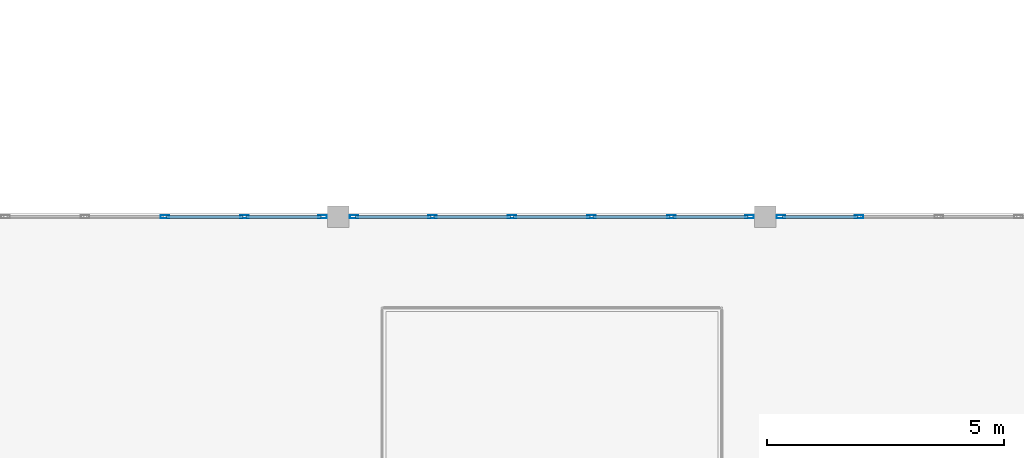
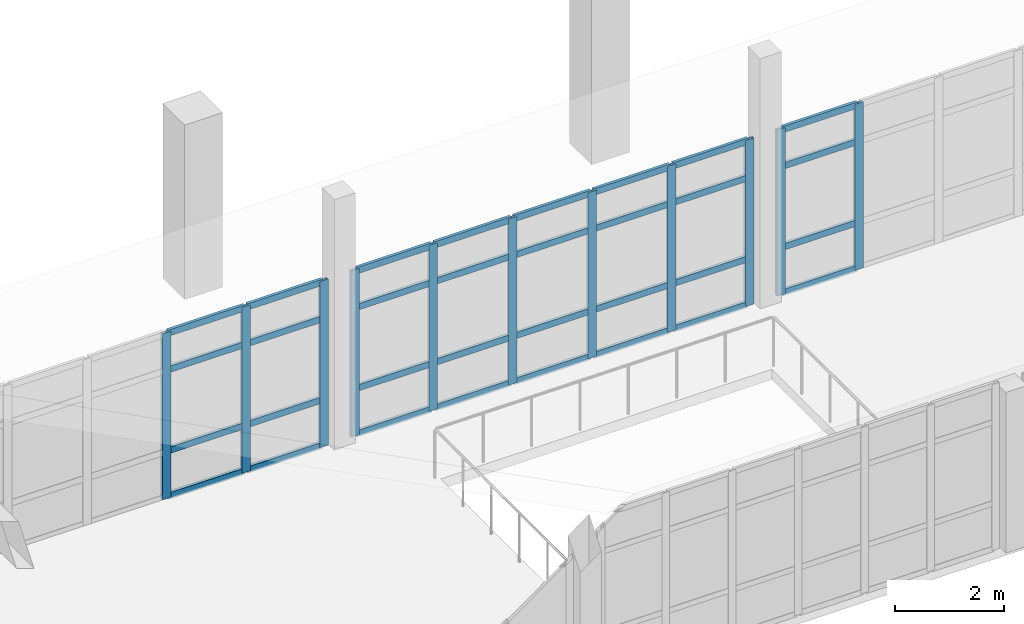
# One storey, part 12 of 156: 43 members, 3 elements without a shape of their own.
"""IFC4 building model written with IfcOpenShell, lengths in metres."""

import ifcopenshell
import ifcopenshell.guid

model = None  # the IFC model being written
_history = None  # IfcOwnerHistory: only IFC2X3 demands one
_inside = {}  # id of a spatial element -> (the spatial element, [elements in it])
_under = {}  # id of a project, library or spatial element -> (it, [spatial elements below it])
_declared = {}  # id of a project -> (the project, [libraries it declares])
_typed = {}  # id of a type object -> (the type object, [elements of that type])
_made_of = {}  # id of a material, layer set ... -> (it, [elements and type objects made of it])


def new_model(schema):
    """Start an empty IFC model of exactly this schema.

    Asked for "IFC4X3", IfcOpenShell would pick the latest addendum, in which some entities
    have other attributes; the version numbers below select the first issue.
    IFC2X3 requires an IfcOwnerHistory on every rooted entity: one is made here for all.
    """
    global model, _history
    if schema == "IFC4X3":
        model = ifcopenshell.file(schema_version=(4, 3, 0, 0))
    else:
        model = ifcopenshell.file(schema=schema)
    _inside.clear()
    _under.clear()
    _declared.clear()
    _typed.clear()
    _made_of.clear()
    _history = None
    if model.schema == "IFC2X3":
        org = make("IfcOrganization", Name="unknown")
        user = make(
            "IfcPersonAndOrganization",
            ThePerson=make("IfcPerson", FamilyName="unknown"),
            TheOrganization=org,
        )
        app = make(
            "IfcApplication",
            ApplicationDeveloper=org,
            Version="unknown",
            ApplicationFullName="unknown",
            ApplicationIdentifier="unknown",
        )
        _history = make(
            "IfcOwnerHistory",
            OwningUser=user,
            OwningApplication=app,
            ChangeAction="ADDED",
            CreationDate=0,
        )
    return model


def make(cls, **values):
    """One entity of the class cls with the attributes given. An attribute that is None is left unset."""
    return model.create_entity(
        cls, **{name: value for name, value in values.items() if value is not None}
    )


def rooted(cls, **values):
    """An entity with a GlobalId (a new one), such as an element, a storey or a relation."""
    return make(cls, GlobalId=ifcopenshell.guid.new(), OwnerHistory=_history, **values)


def si_unit(unit_type, name, prefix=None):
    """IfcSIUnit, for example si_unit("LENGTHUNIT", "METRE", prefix="MILLI")."""
    return make("IfcSIUnit", UnitType=unit_type, Prefix=prefix, Name=name)


def assignment(units):
    """IfcUnitAssignment: the units of a project."""
    return None if units is None else make("IfcUnitAssignment", Units=units)


def point(xyz):
    """IfcCartesianPoint."""
    return None if xyz is None else make("IfcCartesianPoint", Coordinates=xyz)


def direction(xyz):
    """IfcDirection."""
    return None if xyz is None else make("IfcDirection", DirectionRatios=xyz)


def frame(location, z_axis=None, x_axis=None):
    """IfcAxis2Placement3D, a coordinate frame: its origin and axes. An axis left out is left unset."""
    return make(
        "IfcAxis2Placement3D",
        Location=point(location),
        Axis=direction(z_axis),
        RefDirection=direction(x_axis),
    )


def frame_2d(location, x_axis=None):
    """IfcAxis2Placement2D, a coordinate frame in the plane: its origin and x axis."""
    return make(
        "IfcAxis2Placement2D", Location=point(location), RefDirection=direction(x_axis)
    )


def origin():
    """The frame at (0, 0, 0) with its axes left unset."""
    return frame((0.0, 0.0, 0.0))


def origin_2d():
    """The frame at (0, 0) in the plane with its x axis left unset."""
    return frame_2d((0.0, 0.0))


def place(relative_to, where):
    """IfcLocalPlacement: puts the frame where relative to a parent placement (None: the world)."""
    return make(
        "IfcLocalPlacement", PlacementRelTo=relative_to, RelativePlacement=where
    )


def context(
    kind, dimensions, precision=None, world=None, true_north=None, identifier=None
):
    """IfcGeometricRepresentationContext, for example the 3D "Model" context."""
    return make(
        "IfcGeometricRepresentationContext",
        ContextIdentifier=identifier,
        ContextType=kind,
        CoordinateSpaceDimension=dimensions,
        Precision=precision,
        WorldCoordinateSystem=world,
        TrueNorth=true_north,
    )


def subcontext(parent, identifier, kind, view, scale=None):
    """IfcGeometricRepresentationSubContext, for example "Body" below "Model"."""
    return make(
        "IfcGeometricRepresentationSubContext",
        ContextIdentifier=identifier,
        ContextType=kind,
        ParentContext=parent,
        TargetScale=scale,
        TargetView=view,
    )


def project(units=None, contexts=None):
    """IfcProject with its units and contexts."""
    return rooted(
        "IfcProject",
        Name="project",
        RepresentationContexts=contexts,
        UnitsInContext=assignment(units),
    )


def spatial(cls, under=None, at=None, **own):
    """A site, building, storey or space (cls), placed at a placement, below another one or the project."""
    s = rooted(cls, ObjectPlacement=at, **own)
    if under is not None:
        _under.setdefault(under.id(), (under, []))[1].append(s)
    return s


def profile(cls, at=None, kind="AREA", **sizes):
    """A parametric profile (cls). Its sizes go by their IFC names, for example OverallWidth=200.0."""
    return make(cls, ProfileType=kind, Position=at, **sizes)


def hollow_rectangle(**sizes):
    """IfcRectangleHollowProfileDef."""
    return profile("IfcRectangleHollowProfileDef", **sizes)


def extrude(swept, where, along, depth):
    """IfcExtrudedAreaSolid: the profile swept, set in the frame where, extruded along a direction by depth."""
    return make(
        "IfcExtrudedAreaSolid",
        SweptArea=swept,
        Position=where,
        ExtrudedDirection=direction(along),
        Depth=depth,
    )


def shape(context_of_items, identifier, shape_type, items):
    """IfcShapeRepresentation: the items that make up one representation, for example the "Body"."""
    return make(
        "IfcShapeRepresentation",
        ContextOfItems=context_of_items,
        RepresentationIdentifier=identifier,
        RepresentationType=shape_type,
        Items=items,
    )


def material(Name=None, Category=None):
    """IfcMaterial."""
    return make("IfcMaterial", Name=Name, Category=Category)


def layer(
    of_material, thickness, ventilated=None, Name=None, Category=None, Priority=None
):
    """IfcMaterialLayer: one layer of a wall or slab, of a material (None: an air gap)."""
    return make(
        "IfcMaterialLayer",
        Material=of_material,
        LayerThickness=thickness,
        IsVentilated=ventilated,
        Name=Name,
        Category=Category,
        Priority=Priority,
    )


def layer_set(layers, Name=None):
    """IfcMaterialLayerSet."""
    return make("IfcMaterialLayerSet", MaterialLayers=layers, LayerSetName=Name)


def material_profile(
    of_material, cross_section, Name=None, Category=None, Priority=None
):
    """IfcMaterialProfile: a cross section and its material."""
    return make(
        "IfcMaterialProfile",
        Name=Name,
        Material=of_material,
        Profile=cross_section,
        Priority=Priority,
        Category=Category,
    )


def profile_set(profiles, Name=None, composite=None):
    """IfcMaterialProfileSet."""
    return make(
        "IfcMaterialProfileSet",
        Name=Name,
        MaterialProfiles=profiles,
        CompositeProfile=composite,
    )


def made_of(thing, what):
    """Note that an element or type object is made of a material, layer set ...; save() writes the relation."""
    if what is not None:
        _made_of.setdefault(what.id(), (what, []))[1].append(thing)
    return thing


def type_object(cls, material=None, **own):
    """A type object (cls), such as IfcWallType, which elements share."""
    return made_of(rooted(cls, **own), material)


def element(
    cls,
    number,
    at=None,
    inside=None,
    cuts=None,
    type_object=None,
    material=None,
    context=None,
    identifier="Body",
    shape_type=None,
    held_by="IfcProductDefinitionShape",
    body=None,
    shapes=None,
    **own,
):
    """One element of the class cls, such as IfcWall. Its Tag is "e" and its number.

    at: its placement. inside: the storey or other place that contains it. cuts: it is an
    opening in that element (IfcRelVoidsElement). A single representation is given by context,
    identifier, shape_type and body (its items); several are given by shapes. held_by: the class
    of the entity that holds the representations. save() writes the other relations.
    """
    e = rooted(cls, Tag="e%d" % number, ObjectPlacement=at, **own)
    if body is not None:
        shapes = [shape(context, identifier, shape_type, body)]
    if shapes is not None:
        e.Representation = make(held_by, Representations=shapes)
    if inside is not None:
        _inside.setdefault(inside.id(), (inside, []))[1].append(e)
    if cuts is not None:
        rooted(
            "IfcRelVoidsElement", RelatingBuildingElement=cuts, RelatedOpeningElement=e
        )
    if type_object is not None:
        _typed.setdefault(type_object.id(), (type_object, []))[1].append(e)
    return made_of(e, material)


def aggregate(whole, parts):
    """IfcRelAggregates: a whole, such as a stair, and the parts it consists of."""
    return rooted("IfcRelAggregates", RelatingObject=whole, RelatedObjects=parts)


def save(model, path):
    """Write the relations noted so far, then the file.

    IfcRelAggregates (storeys below a building ...), IfcRelContainedInSpatialStructure (elements
    in a storey), IfcRelDefinesByType, IfcRelAssociatesMaterial and IfcRelDeclares: one each for
    every whole, place, type object, material and project.
    """
    for whole, parts in _under.values():
        aggregate(whole, parts)
    for where, things in _inside.values():
        rooted(
            "IfcRelContainedInSpatialStructure",
            RelatedElements=things,
            RelatingStructure=where,
        )
    for kind, things in _typed.values():
        rooted("IfcRelDefinesByType", RelatedObjects=things, RelatingType=kind)
    for what, things in _made_of.values():
        rooted("IfcRelAssociatesMaterial", RelatedObjects=things, RelatingMaterial=what)
    for by, libraries in _declared.values():
        rooted("IfcRelDeclares", RelatingContext=by, RelatedDefinitions=libraries)
    model.write(path)


model = new_model("IFC4")

# Units and contexts
model_context = context("Model", 3, precision=1e-05, world=origin(), true_north=direction((0.0, 1.0)))
body_context = subcontext(model_context, "Body", "Model", "MODEL_VIEW")
ifc_project = project(units=[si_unit("LENGTHUNIT", "METRE"), si_unit("AREAUNIT", "SQUARE_METRE"), si_unit("VOLUMEUNIT", "CUBIC_METRE"), si_unit("PLANEANGLEUNIT", "RADIAN"), si_unit("MASSUNIT", "GRAM", prefix="KILO")], contexts=[model_context])

# Site, building, storey
site_placement = place(None, origin())
site = spatial("IfcSite", under=ifc_project, at=site_placement, CompositionType="ELEMENT")
building_placement = place(site_placement, origin())
building = spatial("IfcBuilding", under=site, at=building_placement, Name="Ornek Quay Market", CompositionType="ELEMENT")
storey_placement = place(building_placement, frame((0.0, 0.0, 4.5)))
storey = spatial("IfcBuildingStorey", under=building, at=storey_placement, Name="L01", CompositionType="ELEMENT", Elevation=4.5)

# Curtain wall, members
ifc_material_1 = material(Name="Anodised bronze aluminium and triple low-e glass", Category="aluminium")
ifc_layer = layer(ifc_material_1, 0.199951171875, Name="Anodised bronze aluminium and triple low-e glass", Category="aluminium")
ifc_layer_set = layer_set([ifc_layer], Name="Anodised bronze aluminium and triple low-e glass")
curtain_wall_type = type_object("IfcCurtainWallType", Name="CW-CONC-MOD1800", PredefinedType="USERDEFINED", material=ifc_layer_set)
curtain_wall_1_placement = place(storey_placement, origin())
curtain_wall_1 = element("IfcCurtainWall", 1, at=curtain_wall_1_placement, inside=storey, type_object=curtain_wall_type, Name="Curtain wall CW-015", ObjectType="CURTAIN WALL", PredefinedType="USERDEFINED")
ifc_material_2 = material(Name="Anodised aluminium 6063-T6", Category="aluminium")
ifc_material_profile_1 = material_profile(ifc_material_2, hollow_rectangle(XDim=0.06494140625, YDim=0.179931640625, WallThickness=0.00439453125, at=origin_2d()), Name="CW-MUL-65x180", Category="aluminium")
ifc_profile_set_1 = profile_set([ifc_material_profile_1], Name="Anodised aluminium 6063-T6")
member_type_1 = type_object("IfcMemberType", Name="CW-MUL-65x180", PredefinedType="MULLION", material=ifc_profile_set_1)
member_1_placement = place(storey_placement, frame((32.340087890625, 29.0, 0.0), z_axis=(0.0, 0.0, 1.0), x_axis=(0.0, 1.0, 0.0)))
member_1 = element("IfcMember", 2, at=member_1_placement, type_object=member_type_1, Name="CW-015 mullion 4", PredefinedType="MULLION", context=body_context, shape_type="SweptSolid", body=[
    extrude(hollow_rectangle(XDim=0.06494140625, YDim=0.179931640625, WallThickness=0.00439453125, at=origin_2d()), origin(), (0.0, 0.0, 1.0), 3.7099609375),
])
member_2_placement = place(storey_placement, frame((34.02001953125, 29.0, 0.0), z_axis=(0.0, 0.0, 1.0), x_axis=(0.0, 1.0, 0.0)))
member_2 = element("IfcMember", 3, at=member_2_placement, type_object=member_type_1, Name="CW-015 mullion 5", PredefinedType="MULLION", context=body_context, shape_type="SweptSolid", body=[
    extrude(hollow_rectangle(XDim=0.06494140625, YDim=0.179931640625, WallThickness=0.00439453125, at=origin_2d()), origin(), (0.0, 0.0, 1.0), 3.7099609375),
])
member_3_placement = place(storey_placement, frame((35.66748046875, 29.0, 0.0), z_axis=(0.0, 0.0, 1.0), x_axis=(0.0, 1.0, 0.0)))
member_3 = element("IfcMember", 4, at=member_3_placement, type_object=member_type_1, Name="CW-015 mullion 6", PredefinedType="MULLION", context=body_context, shape_type="SweptSolid", body=[
    extrude(hollow_rectangle(XDim=0.06494140625, YDim=0.179931640625, WallThickness=0.00439453125, at=origin_2d()), origin(), (0.0, 0.0, 1.0), 3.7099609375),
])

curtain_wall_2_placement = place(storey_placement, origin())
curtain_wall_2 = element("IfcCurtainWall", 5, at=curtain_wall_2_placement, inside=storey, type_object=curtain_wall_type, Name="Curtain wall CW-019", ObjectType="CURTAIN WALL", PredefinedType="USERDEFINED")
member_4_placement = place(storey_placement, frame((36.33251953125, 29.0, 0.0), z_axis=(0.0, 0.0, 1.0), x_axis=(0.0, 1.0, 0.0)))
member_4 = element("IfcMember", 6, at=member_4_placement, type_object=member_type_1, Name="CW-019 mullion 1", PredefinedType="MULLION", context=body_context, shape_type="SweptSolid", body=[
    extrude(hollow_rectangle(XDim=0.06494140625, YDim=0.179931640625, WallThickness=0.00439453125, at=origin_2d()), origin(), (0.0, 0.0, 1.0), 3.7099609375),
])
member_5_placement = place(storey_placement, frame((37.97998046875, 29.0, 0.0), z_axis=(0.0, 0.0, 1.0), x_axis=(0.0, 1.0, 0.0)))
member_5 = element("IfcMember", 7, at=member_5_placement, type_object=member_type_1, Name="CW-019 mullion 2", PredefinedType="MULLION", context=body_context, shape_type="SweptSolid", body=[
    extrude(hollow_rectangle(XDim=0.06494140625, YDim=0.179931640625, WallThickness=0.00439453125, at=origin_2d()), origin(), (0.0, 0.0, 1.0), 3.7099609375),
])
member_6_placement = place(storey_placement, frame((39.659912109375, 29.0, 0.0), z_axis=(0.0, 0.0, 1.0), x_axis=(0.0, 1.0, 0.0)))
member_6 = element("IfcMember", 8, at=member_6_placement, type_object=member_type_1, Name="CW-019 mullion 3", PredefinedType="MULLION", context=body_context, shape_type="SweptSolid", body=[
    extrude(hollow_rectangle(XDim=0.06494140625, YDim=0.179931640625, WallThickness=0.00439453125, at=origin_2d()), origin(), (0.0, 0.0, 1.0), 3.7099609375),
])
member_7_placement = place(storey_placement, frame((41.340087890625, 29.0, 0.0), z_axis=(0.0, 0.0, 1.0), x_axis=(0.0, 1.0, 0.0)))
member_7 = element("IfcMember", 9, at=member_7_placement, type_object=member_type_1, Name="CW-019 mullion 4", PredefinedType="MULLION", context=body_context, shape_type="SweptSolid", body=[
    extrude(hollow_rectangle(XDim=0.06494140625, YDim=0.179931640625, WallThickness=0.00439453125, at=origin_2d()), origin(), (0.0, 0.0, 1.0), 3.7099609375),
])
member_8_placement = place(storey_placement, frame((43.02001953125, 29.0, 0.0), z_axis=(0.0, 0.0, 1.0), x_axis=(0.0, 1.0, 0.0)))
member_8 = element("IfcMember", 10, at=member_8_placement, type_object=member_type_1, Name="CW-019 mullion 5", PredefinedType="MULLION", context=body_context, shape_type="SweptSolid", body=[
    extrude(hollow_rectangle(XDim=0.06494140625, YDim=0.179931640625, WallThickness=0.00439453125, at=origin_2d()), origin(), (0.0, 0.0, 1.0), 3.7099609375),
])
member_9_placement = place(storey_placement, frame((44.66748046875, 29.0, 0.0), z_axis=(0.0, 0.0, 1.0), x_axis=(0.0, 1.0, 0.0)))
member_9 = element("IfcMember", 11, at=member_9_placement, type_object=member_type_1, Name="CW-019 mullion 6", PredefinedType="MULLION", context=body_context, shape_type="SweptSolid", body=[
    extrude(hollow_rectangle(XDim=0.06494140625, YDim=0.179931640625, WallThickness=0.00439453125, at=origin_2d()), origin(), (0.0, 0.0, 1.0), 3.7099609375),
])

curtain_wall_3_placement = place(storey_placement, origin())
curtain_wall_3 = element("IfcCurtainWall", 12, at=curtain_wall_3_placement, inside=storey, type_object=curtain_wall_type, Name="Curtain wall CW-023", ObjectType="CURTAIN WALL", PredefinedType="USERDEFINED")
member_10_placement = place(storey_placement, frame((45.33251953125, 29.0, 0.0), z_axis=(0.0, 0.0, 1.0), x_axis=(0.0, 1.0, 0.0)))
member_10 = element("IfcMember", 13, at=member_10_placement, type_object=member_type_1, Name="CW-023 mullion 1", PredefinedType="MULLION", context=body_context, shape_type="SweptSolid", body=[
    extrude(hollow_rectangle(XDim=0.06494140625, YDim=0.179931640625, WallThickness=0.00439453125, at=origin_2d()), origin(), (0.0, 0.0, 1.0), 3.7099609375),
])
member_11_placement = place(storey_placement, frame((46.97998046875, 29.0, 0.0), z_axis=(0.0, 0.0, 1.0), x_axis=(0.0, 1.0, 0.0)))
member_11 = element("IfcMember", 14, at=member_11_placement, type_object=member_type_1, Name="CW-023 mullion 2", PredefinedType="MULLION", context=body_context, shape_type="SweptSolid", body=[
    extrude(hollow_rectangle(XDim=0.06494140625, YDim=0.179931640625, WallThickness=0.00439453125, at=origin_2d()), origin(), (0.0, 0.0, 1.0), 3.7099609375),
])

# Member
ifc_material_profile_2 = material_profile(ifc_material_2, hollow_rectangle(XDim=0.06494140625, YDim=0.139892578125, WallThickness=0.00439453125, at=origin_2d()), Name="CW-TRN-65x140", Category="aluminium")
ifc_profile_set_2 = profile_set([ifc_material_profile_2], Name="Anodised aluminium 6063-T6")
member_type_2 = type_object("IfcMemberType", Name="CW-TRN-65x140", PredefinedType="USERDEFINED", material=ifc_profile_set_2)
member_12_placement = place(storey_placement, frame((32.37255859375, 29.0, 0.032470703125), z_axis=(1.0, 0.0, 0.0), x_axis=(0.0, 1.0, 0.0)))
member_12 = element("IfcMember", 15, at=member_12_placement, type_object=member_type_2, Name="CW-015 transom 4.1", ObjectType="TRANSOM", PredefinedType="USERDEFINED", context=body_context, shape_type="SweptSolid", body=[
    extrude(hollow_rectangle(XDim=0.06494140625, YDim=0.139892578125, WallThickness=0.00439453125, at=origin_2d()), origin(), (0.0, 0.0, 1.0), 1.614990234375),
])

member_13_placement = place(storey_placement, frame((32.37255859375, 29.0, 1.050048828125), z_axis=(1.0, 0.0, 0.0), x_axis=(0.0, 1.0, 0.0)))
member_13 = element("IfcMember", 16, at=member_13_placement, type_object=member_type_2, Name="CW-015 transom 4.2", ObjectType="TRANSOM", PredefinedType="USERDEFINED", context=body_context, shape_type="SweptSolid", body=[
    extrude(hollow_rectangle(XDim=0.06494140625, YDim=0.139892578125, WallThickness=0.00439453125, at=origin_2d()), origin(), (0.0, 0.0, 1.0), 1.614990234375),
])

member_14_placement = place(storey_placement, frame((32.37255859375, 29.0, 2.860107421875), z_axis=(1.0, 0.0, 0.0), x_axis=(0.0, 1.0, 0.0)))
member_14 = element("IfcMember", 17, at=member_14_placement, type_object=member_type_2, Name="CW-015 transom 4.3", ObjectType="TRANSOM", PredefinedType="USERDEFINED", context=body_context, shape_type="SweptSolid", body=[
    extrude(hollow_rectangle(XDim=0.06494140625, YDim=0.139892578125, WallThickness=0.00439453125, at=origin_2d()), origin(), (0.0, 0.0, 1.0), 1.614990234375),
])

member_15_placement = place(storey_placement, frame((32.37255859375, 29.0, 3.677490234375), z_axis=(1.0, 0.0, 0.0), x_axis=(0.0, 1.0, 0.0)))
member_15 = element("IfcMember", 18, at=member_15_placement, type_object=member_type_2, Name="CW-015 transom 4.4", ObjectType="TRANSOM", PredefinedType="USERDEFINED", context=body_context, shape_type="SweptSolid", body=[
    extrude(hollow_rectangle(XDim=0.06494140625, YDim=0.139892578125, WallThickness=0.00439453125, at=origin_2d()), origin(), (0.0, 0.0, 1.0), 1.614990234375),
])

member_16_placement = place(storey_placement, frame((34.052490234375, 29.0, 0.032470703125), z_axis=(1.0, 0.0, 0.0), x_axis=(0.0, 1.0, 0.0)))
member_16 = element("IfcMember", 19, at=member_16_placement, type_object=member_type_2, Name="CW-015 transom 5.1", ObjectType="TRANSOM", PredefinedType="USERDEFINED", context=body_context, shape_type="SweptSolid", body=[
    extrude(hollow_rectangle(XDim=0.06494140625, YDim=0.139892578125, WallThickness=0.00439453125, at=origin_2d()), origin(), (0.0, 0.0, 1.0), 1.58251953125),
])

member_17_placement = place(storey_placement, frame((34.052490234375, 29.0, 1.050048828125), z_axis=(1.0, 0.0, 0.0), x_axis=(0.0, 1.0, 0.0)))
member_17 = element("IfcMember", 20, at=member_17_placement, type_object=member_type_2, Name="CW-015 transom 5.2", ObjectType="TRANSOM", PredefinedType="USERDEFINED", context=body_context, shape_type="SweptSolid", body=[
    extrude(hollow_rectangle(XDim=0.06494140625, YDim=0.139892578125, WallThickness=0.00439453125, at=origin_2d()), origin(), (0.0, 0.0, 1.0), 1.58251953125),
])

member_18_placement = place(storey_placement, frame((34.052490234375, 29.0, 2.860107421875), z_axis=(1.0, 0.0, 0.0), x_axis=(0.0, 1.0, 0.0)))
member_18 = element("IfcMember", 21, at=member_18_placement, type_object=member_type_2, Name="CW-015 transom 5.3", ObjectType="TRANSOM", PredefinedType="USERDEFINED", context=body_context, shape_type="SweptSolid", body=[
    extrude(hollow_rectangle(XDim=0.06494140625, YDim=0.139892578125, WallThickness=0.00439453125, at=origin_2d()), origin(), (0.0, 0.0, 1.0), 1.58251953125),
])

member_19_placement = place(storey_placement, frame((34.052490234375, 29.0, 3.677490234375), z_axis=(1.0, 0.0, 0.0), x_axis=(0.0, 1.0, 0.0)))
member_19 = element("IfcMember", 22, at=member_19_placement, type_object=member_type_2, Name="CW-015 transom 5.4", ObjectType="TRANSOM", PredefinedType="USERDEFINED", context=body_context, shape_type="SweptSolid", body=[
    extrude(hollow_rectangle(XDim=0.06494140625, YDim=0.139892578125, WallThickness=0.00439453125, at=origin_2d()), origin(), (0.0, 0.0, 1.0), 1.58251953125),
])

aggregate(curtain_wall_1, [member_1, member_2, member_3, member_12, member_13, member_14, member_15, member_16, member_17, member_18, member_19])

member_20_placement = place(storey_placement, frame((36.364990234375, 29.0, 0.032470703125), z_axis=(1.0, 0.0, 0.0), x_axis=(0.0, 1.0, 0.0)))
member_20 = element("IfcMember", 23, at=member_20_placement, type_object=member_type_2, Name="CW-019 transom 1.1", ObjectType="TRANSOM", PredefinedType="USERDEFINED", context=body_context, shape_type="SweptSolid", body=[
    extrude(hollow_rectangle(XDim=0.06494140625, YDim=0.139892578125, WallThickness=0.00439453125, at=origin_2d()), origin(), (0.0, 0.0, 1.0), 1.58251953125),
])

member_21_placement = place(storey_placement, frame((36.364990234375, 29.0, 1.050048828125), z_axis=(1.0, 0.0, 0.0), x_axis=(0.0, 1.0, 0.0)))
member_21 = element("IfcMember", 24, at=member_21_placement, type_object=member_type_2, Name="CW-019 transom 1.2", ObjectType="TRANSOM", PredefinedType="USERDEFINED", context=body_context, shape_type="SweptSolid", body=[
    extrude(hollow_rectangle(XDim=0.06494140625, YDim=0.139892578125, WallThickness=0.00439453125, at=origin_2d()), origin(), (0.0, 0.0, 1.0), 1.58251953125),
])

member_22_placement = place(storey_placement, frame((36.364990234375, 29.0, 2.860107421875), z_axis=(1.0, 0.0, 0.0), x_axis=(0.0, 1.0, 0.0)))
member_22 = element("IfcMember", 25, at=member_22_placement, type_object=member_type_2, Name="CW-019 transom 1.3", ObjectType="TRANSOM", PredefinedType="USERDEFINED", context=body_context, shape_type="SweptSolid", body=[
    extrude(hollow_rectangle(XDim=0.06494140625, YDim=0.139892578125, WallThickness=0.00439453125, at=origin_2d()), origin(), (0.0, 0.0, 1.0), 1.58251953125),
])

member_23_placement = place(storey_placement, frame((36.364990234375, 29.0, 3.677490234375), z_axis=(1.0, 0.0, 0.0), x_axis=(0.0, 1.0, 0.0)))
member_23 = element("IfcMember", 26, at=member_23_placement, type_object=member_type_2, Name="CW-019 transom 1.4", ObjectType="TRANSOM", PredefinedType="USERDEFINED", context=body_context, shape_type="SweptSolid", body=[
    extrude(hollow_rectangle(XDim=0.06494140625, YDim=0.139892578125, WallThickness=0.00439453125, at=origin_2d()), origin(), (0.0, 0.0, 1.0), 1.58251953125),
])

member_24_placement = place(storey_placement, frame((38.012451171875, 29.0, 0.032470703125), z_axis=(1.0, 0.0, 0.0), x_axis=(0.0, 1.0, 0.0)))
member_24 = element("IfcMember", 27, at=member_24_placement, type_object=member_type_2, Name="CW-019 transom 2.1", ObjectType="TRANSOM", PredefinedType="USERDEFINED", context=body_context, shape_type="SweptSolid", body=[
    extrude(hollow_rectangle(XDim=0.06494140625, YDim=0.139892578125, WallThickness=0.00439453125, at=origin_2d()), origin(), (0.0, 0.0, 1.0), 1.614990234375),
])

member_25_placement = place(storey_placement, frame((38.012451171875, 29.0, 1.050048828125), z_axis=(1.0, 0.0, 0.0), x_axis=(0.0, 1.0, 0.0)))
member_25 = element("IfcMember", 28, at=member_25_placement, type_object=member_type_2, Name="CW-019 transom 2.2", ObjectType="TRANSOM", PredefinedType="USERDEFINED", context=body_context, shape_type="SweptSolid", body=[
    extrude(hollow_rectangle(XDim=0.06494140625, YDim=0.139892578125, WallThickness=0.00439453125, at=origin_2d()), origin(), (0.0, 0.0, 1.0), 1.614990234375),
])

member_26_placement = place(storey_placement, frame((38.012451171875, 29.0, 2.860107421875), z_axis=(1.0, 0.0, 0.0), x_axis=(0.0, 1.0, 0.0)))
member_26 = element("IfcMember", 29, at=member_26_placement, type_object=member_type_2, Name="CW-019 transom 2.3", ObjectType="TRANSOM", PredefinedType="USERDEFINED", context=body_context, shape_type="SweptSolid", body=[
    extrude(hollow_rectangle(XDim=0.06494140625, YDim=0.139892578125, WallThickness=0.00439453125, at=origin_2d()), origin(), (0.0, 0.0, 1.0), 1.614990234375),
])

member_27_placement = place(storey_placement, frame((38.012451171875, 29.0, 3.677490234375), z_axis=(1.0, 0.0, 0.0), x_axis=(0.0, 1.0, 0.0)))
member_27 = element("IfcMember", 30, at=member_27_placement, type_object=member_type_2, Name="CW-019 transom 2.4", ObjectType="TRANSOM", PredefinedType="USERDEFINED", context=body_context, shape_type="SweptSolid", body=[
    extrude(hollow_rectangle(XDim=0.06494140625, YDim=0.139892578125, WallThickness=0.00439453125, at=origin_2d()), origin(), (0.0, 0.0, 1.0), 1.614990234375),
])

member_28_placement = place(storey_placement, frame((39.6923828125, 29.0, 0.032470703125), z_axis=(1.0, 0.0, 0.0), x_axis=(0.0, 1.0, 0.0)))
member_28 = element("IfcMember", 31, at=member_28_placement, type_object=member_type_2, Name="CW-019 transom 3.1", ObjectType="TRANSOM", PredefinedType="USERDEFINED", context=body_context, shape_type="SweptSolid", body=[
    extrude(hollow_rectangle(XDim=0.06494140625, YDim=0.139892578125, WallThickness=0.00439453125, at=origin_2d()), origin(), (0.0, 0.0, 1.0), 1.615234375),
])

member_29_placement = place(storey_placement, frame((39.6923828125, 29.0, 1.050048828125), z_axis=(1.0, 0.0, 0.0), x_axis=(0.0, 1.0, 0.0)))
member_29 = element("IfcMember", 32, at=member_29_placement, type_object=member_type_2, Name="CW-019 transom 3.2", ObjectType="TRANSOM", PredefinedType="USERDEFINED", context=body_context, shape_type="SweptSolid", body=[
    extrude(hollow_rectangle(XDim=0.06494140625, YDim=0.139892578125, WallThickness=0.00439453125, at=origin_2d()), origin(), (0.0, 0.0, 1.0), 1.615234375),
])

member_30_placement = place(storey_placement, frame((39.6923828125, 29.0, 2.860107421875), z_axis=(1.0, 0.0, 0.0), x_axis=(0.0, 1.0, 0.0)))
member_30 = element("IfcMember", 33, at=member_30_placement, type_object=member_type_2, Name="CW-019 transom 3.3", ObjectType="TRANSOM", PredefinedType="USERDEFINED", context=body_context, shape_type="SweptSolid", body=[
    extrude(hollow_rectangle(XDim=0.06494140625, YDim=0.139892578125, WallThickness=0.00439453125, at=origin_2d()), origin(), (0.0, 0.0, 1.0), 1.615234375),
])

member_31_placement = place(storey_placement, frame((39.6923828125, 29.0, 3.677490234375), z_axis=(1.0, 0.0, 0.0), x_axis=(0.0, 1.0, 0.0)))
member_31 = element("IfcMember", 34, at=member_31_placement, type_object=member_type_2, Name="CW-019 transom 3.4", ObjectType="TRANSOM", PredefinedType="USERDEFINED", context=body_context, shape_type="SweptSolid", body=[
    extrude(hollow_rectangle(XDim=0.06494140625, YDim=0.139892578125, WallThickness=0.00439453125, at=origin_2d()), origin(), (0.0, 0.0, 1.0), 1.615234375),
])

member_32_placement = place(storey_placement, frame((41.37255859375, 29.0, 0.032470703125), z_axis=(1.0, 0.0, 0.0), x_axis=(0.0, 1.0, 0.0)))
member_32 = element("IfcMember", 35, at=member_32_placement, type_object=member_type_2, Name="CW-019 transom 4.1", ObjectType="TRANSOM", PredefinedType="USERDEFINED", context=body_context, shape_type="SweptSolid", body=[
    extrude(hollow_rectangle(XDim=0.06494140625, YDim=0.139892578125, WallThickness=0.00439453125, at=origin_2d()), origin(), (0.0, 0.0, 1.0), 1.614990234375),
])

member_33_placement = place(storey_placement, frame((41.37255859375, 29.0, 1.050048828125), z_axis=(1.0, 0.0, 0.0), x_axis=(0.0, 1.0, 0.0)))
member_33 = element("IfcMember", 36, at=member_33_placement, type_object=member_type_2, Name="CW-019 transom 4.2", ObjectType="TRANSOM", PredefinedType="USERDEFINED", context=body_context, shape_type="SweptSolid", body=[
    extrude(hollow_rectangle(XDim=0.06494140625, YDim=0.139892578125, WallThickness=0.00439453125, at=origin_2d()), origin(), (0.0, 0.0, 1.0), 1.614990234375),
])

member_34_placement = place(storey_placement, frame((41.37255859375, 29.0, 2.860107421875), z_axis=(1.0, 0.0, 0.0), x_axis=(0.0, 1.0, 0.0)))
member_34 = element("IfcMember", 37, at=member_34_placement, type_object=member_type_2, Name="CW-019 transom 4.3", ObjectType="TRANSOM", PredefinedType="USERDEFINED", context=body_context, shape_type="SweptSolid", body=[
    extrude(hollow_rectangle(XDim=0.06494140625, YDim=0.139892578125, WallThickness=0.00439453125, at=origin_2d()), origin(), (0.0, 0.0, 1.0), 1.614990234375),
])

member_35_placement = place(storey_placement, frame((41.37255859375, 29.0, 3.677490234375), z_axis=(1.0, 0.0, 0.0), x_axis=(0.0, 1.0, 0.0)))
member_35 = element("IfcMember", 38, at=member_35_placement, type_object=member_type_2, Name="CW-019 transom 4.4", ObjectType="TRANSOM", PredefinedType="USERDEFINED", context=body_context, shape_type="SweptSolid", body=[
    extrude(hollow_rectangle(XDim=0.06494140625, YDim=0.139892578125, WallThickness=0.00439453125, at=origin_2d()), origin(), (0.0, 0.0, 1.0), 1.614990234375),
])

member_36_placement = place(storey_placement, frame((43.052490234375, 29.0, 0.032470703125), z_axis=(1.0, 0.0, 0.0), x_axis=(0.0, 1.0, 0.0)))
member_36 = element("IfcMember", 39, at=member_36_placement, type_object=member_type_2, Name="CW-019 transom 5.1", ObjectType="TRANSOM", PredefinedType="USERDEFINED", context=body_context, shape_type="SweptSolid", body=[
    extrude(hollow_rectangle(XDim=0.06494140625, YDim=0.139892578125, WallThickness=0.00439453125, at=origin_2d()), origin(), (0.0, 0.0, 1.0), 1.58251953125),
])

member_37_placement = place(storey_placement, frame((43.052490234375, 29.0, 1.050048828125), z_axis=(1.0, 0.0, 0.0), x_axis=(0.0, 1.0, 0.0)))
member_37 = element("IfcMember", 40, at=member_37_placement, type_object=member_type_2, Name="CW-019 transom 5.2", ObjectType="TRANSOM", PredefinedType="USERDEFINED", context=body_context, shape_type="SweptSolid", body=[
    extrude(hollow_rectangle(XDim=0.06494140625, YDim=0.139892578125, WallThickness=0.00439453125, at=origin_2d()), origin(), (0.0, 0.0, 1.0), 1.58251953125),
])

member_38_placement = place(storey_placement, frame((43.052490234375, 29.0, 2.860107421875), z_axis=(1.0, 0.0, 0.0), x_axis=(0.0, 1.0, 0.0)))
member_38 = element("IfcMember", 41, at=member_38_placement, type_object=member_type_2, Name="CW-019 transom 5.3", ObjectType="TRANSOM", PredefinedType="USERDEFINED", context=body_context, shape_type="SweptSolid", body=[
    extrude(hollow_rectangle(XDim=0.06494140625, YDim=0.139892578125, WallThickness=0.00439453125, at=origin_2d()), origin(), (0.0, 0.0, 1.0), 1.58251953125),
])

member_39_placement = place(storey_placement, frame((43.052490234375, 29.0, 3.677490234375), z_axis=(1.0, 0.0, 0.0), x_axis=(0.0, 1.0, 0.0)))
member_39 = element("IfcMember", 42, at=member_39_placement, type_object=member_type_2, Name="CW-019 transom 5.4", ObjectType="TRANSOM", PredefinedType="USERDEFINED", context=body_context, shape_type="SweptSolid", body=[
    extrude(hollow_rectangle(XDim=0.06494140625, YDim=0.139892578125, WallThickness=0.00439453125, at=origin_2d()), origin(), (0.0, 0.0, 1.0), 1.58251953125),
])

aggregate(curtain_wall_2, [member_4, member_5, member_6, member_7, member_8, member_9, member_20, member_21, member_22, member_23, member_24, member_25, member_26, member_27, member_28, member_29, member_30, member_31, member_32, member_33, member_34, member_35, member_36, member_37, member_38, member_39])

member_40_placement = place(storey_placement, frame((45.364990234375, 29.0, 0.032470703125), z_axis=(1.0, 0.0, 0.0), x_axis=(0.0, 1.0, 0.0)))
member_40 = element("IfcMember", 43, at=member_40_placement, type_object=member_type_2, Name="CW-023 transom 1.1", ObjectType="TRANSOM", PredefinedType="USERDEFINED", context=body_context, shape_type="SweptSolid", body=[
    extrude(hollow_rectangle(XDim=0.06494140625, YDim=0.139892578125, WallThickness=0.00439453125, at=origin_2d()), origin(), (0.0, 0.0, 1.0), 1.58251953125),
])

member_41_placement = place(storey_placement, frame((45.364990234375, 29.0, 1.050048828125), z_axis=(1.0, 0.0, 0.0), x_axis=(0.0, 1.0, 0.0)))
member_41 = element("IfcMember", 44, at=member_41_placement, type_object=member_type_2, Name="CW-023 transom 1.2", ObjectType="TRANSOM", PredefinedType="USERDEFINED", context=body_context, shape_type="SweptSolid", body=[
    extrude(hollow_rectangle(XDim=0.06494140625, YDim=0.139892578125, WallThickness=0.00439453125, at=origin_2d()), origin(), (0.0, 0.0, 1.0), 1.58251953125),
])

member_42_placement = place(storey_placement, frame((45.364990234375, 29.0, 2.860107421875), z_axis=(1.0, 0.0, 0.0), x_axis=(0.0, 1.0, 0.0)))
member_42 = element("IfcMember", 45, at=member_42_placement, type_object=member_type_2, Name="CW-023 transom 1.3", ObjectType="TRANSOM", PredefinedType="USERDEFINED", context=body_context, shape_type="SweptSolid", body=[
    extrude(hollow_rectangle(XDim=0.06494140625, YDim=0.139892578125, WallThickness=0.00439453125, at=origin_2d()), origin(), (0.0, 0.0, 1.0), 1.58251953125),
])

member_43_placement = place(storey_placement, frame((45.364990234375, 29.0, 3.677490234375), z_axis=(1.0, 0.0, 0.0), x_axis=(0.0, 1.0, 0.0)))
member_43 = element("IfcMember", 46, at=member_43_placement, type_object=member_type_2, Name="CW-023 transom 1.4", ObjectType="TRANSOM", PredefinedType="USERDEFINED", context=body_context, shape_type="SweptSolid", body=[
    extrude(hollow_rectangle(XDim=0.06494140625, YDim=0.139892578125, WallThickness=0.00439453125, at=origin_2d()), origin(), (0.0, 0.0, 1.0), 1.58251953125),
])

aggregate(curtain_wall_3, [member_10, member_11, member_40, member_41, member_42, member_43])

save(model, "model.ifc")
